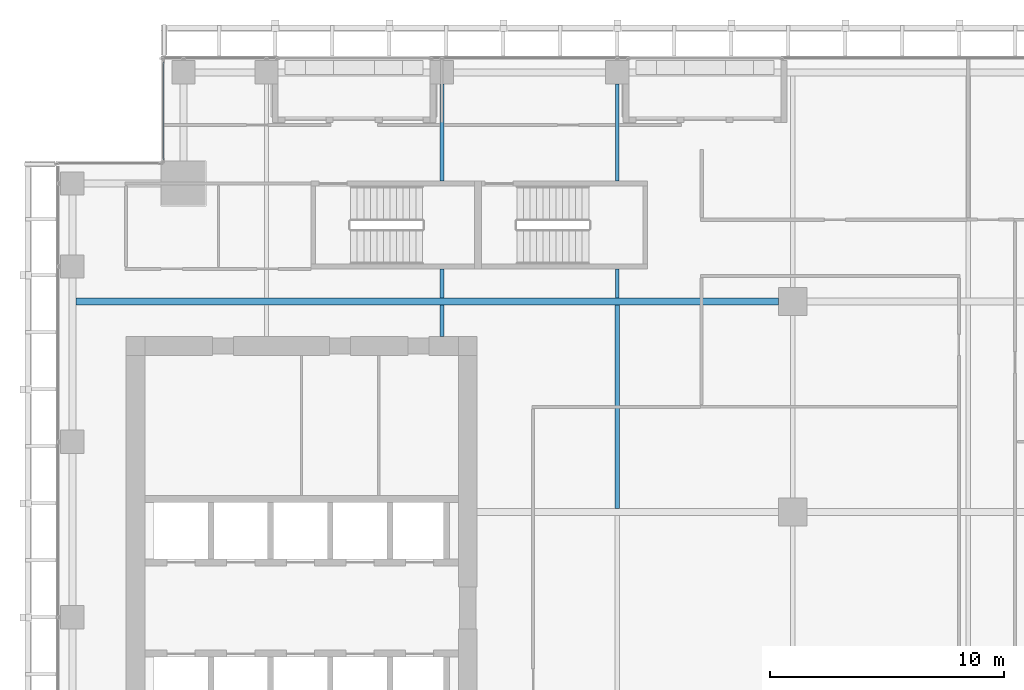
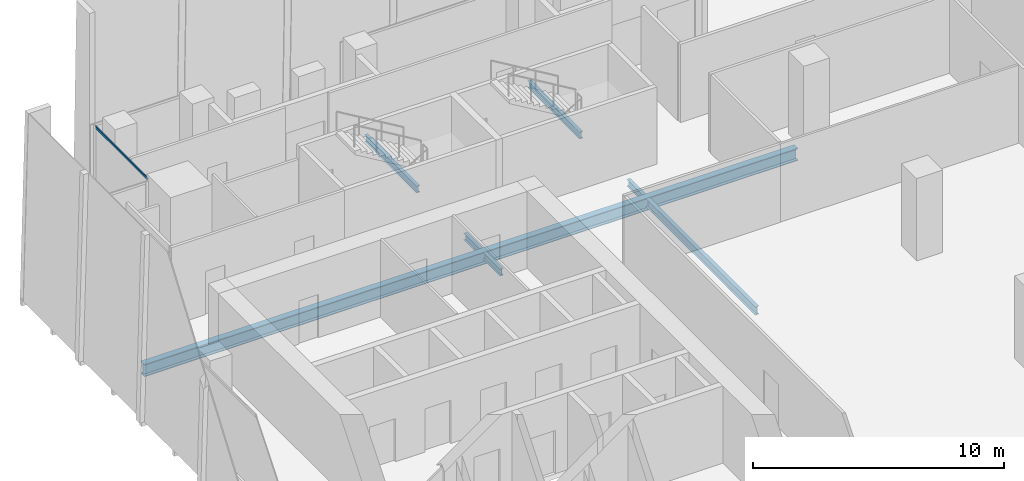
# One storey, part 15 of 35: 7 beams, 1 member, 1 element without a shape of its own.
"""IFC4 building model written with IfcOpenShell, lengths in metres."""

from ifc_helpers import new_model, si_unit, direction, frame, origin, origin_2d, place, context, subcontext, project, spatial, hollow_rectangle, i_section, extrude, source, transform, mapped, material, material_profile, profile_set, type_object, element, aggregate, save


model = new_model("IFC4")

# Units and contexts
model_context = context("Model", 3, precision=1e-05, world=origin(), true_north=direction((0.0, 1.0)))
body_context = subcontext(model_context, "Body", "Model", "MODEL_VIEW")
ifc_project = project(units=[si_unit("LENGTHUNIT", "METRE"), si_unit("AREAUNIT", "SQUARE_METRE"), si_unit("VOLUMEUNIT", "CUBIC_METRE"), si_unit("PLANEANGLEUNIT", "RADIAN"), si_unit("MASSUNIT", "GRAM", prefix="KILO")], contexts=[model_context])

# Site, building, storey
site_placement = place(None, origin())
site = spatial("IfcSite", under=ifc_project, at=site_placement, CompositionType="ELEMENT")
building_placement = place(site_placement, origin())
building = spatial("IfcBuilding", under=site, at=building_placement, Name="Khomas Fold Tower", CompositionType="ELEMENT")
storey_placement = place(building_placement, frame((0.0, 0.0, 212.699951171875)))
storey = spatial("IfcBuildingStorey", under=building, at=storey_placement, Name="L47", CompositionType="ELEMENT", Elevation=212.699951171875)

# Beams
ifc_material_1 = material(Name="Steel S355", Category="steel")
ifc_material_profile_1 = material_profile(ifc_material_1, i_section(OverallWidth=0.179931640625, OverallDepth=0.39990234375, WebThickness=0.008544921875, FlangeThickness=0.013427734375, at=origin_2d()), Name="IPE 400")
ifc_profile_set_1 = profile_set([ifc_material_profile_1], Name="Steel S355")
beam_type_1 = type_object("IfcBeamType", Name="IPE 400 beam JB3", PredefinedType="BEAM", material=ifc_profile_set_1)
shared_shape_1 = source(origin(), body_context, "Body", "SweptSolid", [
    extrude(i_section(OverallWidth=0.179931640625, OverallDepth=0.39990234375, WebThickness=0.008544921875, FlangeThickness=0.013427734375, at=origin_2d()), origin(), (0.0, 0.0, 1.0), 8.7001953125),
])
beam_1_placement = place(storey_placement, frame((27.0, 31.64990234375, -0.449951171875), z_axis=(0.0, 1.0, 0.0), x_axis=(-1.0, 0.0, 0.0)))
element("IfcBeam", 1, at=beam_1_placement, inside=storey, type_object=beam_type_1, Name="JB3", PredefinedType="BEAM", context=body_context, shape_type="MappedRepresentation", body=[
    mapped(shared_shape_1, transform((0.0, 0.0, 0.0))),
])
ifc_material_2 = material(Name="Steel S355", Category="steel")
ifc_material_profile_2 = material_profile(ifc_material_2, i_section(OverallWidth=0.159912109375, OverallDepth=0.330078125, WebThickness=0.007568359375, FlangeThickness=0.011474609375, at=origin_2d()), Name="IPE 330")
ifc_profile_set_2 = profile_set([ifc_material_profile_2], Name="Steel S355")
beam_type_2 = type_object("IfcBeamType", Name="IPE 330 beam JB1", PredefinedType="BEAM", material=ifc_profile_set_2)
shared_shape_2 = source(origin(), body_context, "Body", "SweptSolid", [
    extrude(i_section(OverallWidth=0.159912109375, OverallDepth=0.330078125, WebThickness=0.007568359375, FlangeThickness=0.011474609375, at=origin_2d()), origin(), (0.0, 0.0, 1.0), 1.25),
])
for number, where, z_axis, x_axis, name in (
    (2, (19.5, 40.64990234375, -0.4150390625), (0.0, 1.0, 0.0), (-1.0, 0.0, 0.0), "JB1"),
    (3, (27.0, 40.64990234375, -0.4150390625), (0.0, 1.0, 0.0), (-1.0, 0.0, 0.0), "JB1"),
):
    element("IfcBeam", number, at=place(storey_placement, frame(where, z_axis=z_axis, x_axis=x_axis)), inside=storey, type_object=beam_type_2, Name=name, PredefinedType="BEAM", context=body_context, shape_type="MappedRepresentation", body=[
        mapped(shared_shape_2, transform((0.0, 0.0, 0.0))),
    ])
shared_shape_3 = source(origin(), body_context, "Body", "SweptSolid", [
    extrude(i_section(OverallWidth=0.159912109375, OverallDepth=0.330078125, WebThickness=0.007568359375, FlangeThickness=0.011474609375, at=origin_2d()), origin(), (0.0, 0.0, 1.0), 4.150146484375),
])
for number, where, z_axis, x_axis, name in (
    (4, (19.5, 45.64990234375, -0.4150390625), (0.0, 1.0, 0.0), (-1.0, 0.0, 0.0), "JB1"),
    (5, (27.0, 45.64990234375, -0.4150390625), (0.0, 1.0, 0.0), (-1.0, 0.0, 0.0), "JB1"),
):
    element("IfcBeam", number, at=place(storey_placement, frame(where, z_axis=z_axis, x_axis=x_axis)), inside=storey, type_object=beam_type_2, Name=name, PredefinedType="BEAM", context=body_context, shape_type="MappedRepresentation", body=[
        mapped(shared_shape_3, transform((0.0, 0.0, 0.0))),
    ])
ifc_material_3 = material(Name="Steel S355", Category="steel")
ifc_material_profile_3 = material_profile(ifc_material_3, i_section(OverallWidth=0.300048828125, OverallDepth=0.60009765625, WebThickness=0.015380859375, FlangeThickness=0.030029296875, at=origin_2d()), Name="HE 600 B")
ifc_profile_set_3 = profile_set([ifc_material_profile_3], Name="Steel S355")
beam_type_3 = type_object("IfcBeamType", Name="HE 600 B beam GB5", PredefinedType="BEAM", material=ifc_profile_set_3)
shared_shape_4 = source(origin(), body_context, "Body", "SweptSolid", [
    extrude(i_section(OverallWidth=0.300048828125, OverallDepth=0.60009765625, WebThickness=0.015380859375, FlangeThickness=0.030029296875, at=origin_2d()), origin(), (0.0, 0.0, 1.0), 30.0498046875),
])
beam_2_placement = place(storey_placement, frame((3.85009765625, 40.5, -0.550048828125), z_axis=(1.0, 0.0, 0.0), x_axis=(0.0, 1.0, 0.0)))
element("IfcBeam", 6, at=beam_2_placement, inside=storey, type_object=beam_type_3, Name="GB5", PredefinedType="BEAM", context=body_context, shape_type="MappedRepresentation", body=[
    mapped(shared_shape_4, transform((0.0, 0.0, 0.0))),
])
shared_shape_5 = source(origin(), body_context, "Body", "SweptSolid", [
    extrude(i_section(OverallWidth=0.159912109375, OverallDepth=0.330078125, WebThickness=0.007568359375, FlangeThickness=0.011474609375, at=origin_2d()), origin(), (0.0, 0.0, 1.0), 1.35009765625),
])
beam_3_placement = place(storey_placement, frame((19.5, 39.0, -0.4150390625), z_axis=(0.0, 1.0, 0.0), x_axis=(-1.0, 0.0, 0.0)))
element("IfcBeam", 7, at=beam_3_placement, inside=storey, type_object=beam_type_2, Name="JB1", PredefinedType="BEAM", context=body_context, shape_type="MappedRepresentation", body=[
    mapped(shared_shape_5, transform((0.0, 0.0, 0.0))),
])

# Curtain wall, member
ifc_material_4 = material(Name="Aluminium framed double glazing", Category="aluminium")
curtain_wall_type = type_object("IfcCurtainWallType", Name="SK-Unitised clear-glass wall, office floors CW2", PredefinedType="NOTDEFINED", material=ifc_material_4)
curtain_wall_placement = place(storey_placement, origin())
curtain_wall = element("IfcCurtainWall", 8, at=curtain_wall_placement, inside=storey, type_object=curtain_wall_type, Name="CW2 corner return L47 07", PredefinedType="NOTDEFINED")
ifc_material_5 = material(Name="Aluminium", Category="aluminium")
ifc_material_profile_4 = material_profile(ifc_material_5, hollow_rectangle(XDim=0.050048828125, YDim=0.110107421875, WallThickness=0.00390625, at=origin_2d()), Name="SK-Unitised clear-glass wall, office floors transom CW2-T")
ifc_profile_set_4 = profile_set([ifc_material_profile_4], Name="Aluminium")
member_type = type_object("IfcMemberType", Name="SK-Unitised clear-glass wall, office floors transom CW2-T", PredefinedType="USERDEFINED", material=ifc_profile_set_4)
shared_shape_6 = source(origin(), body_context, "Body", "SweptSolid", [
    extrude(hollow_rectangle(XDim=0.050048828125, YDim=0.110107421875, WallThickness=0.00390625, at=origin_2d()), origin(), (0.0, 0.0, 1.0), 4.179931640625),
])
member_placement = place(storey_placement, frame((7.60009765625, 50.739990234375, 3.695068359375), z_axis=(0.0, -1.0, 0.0), x_axis=(1.0, 0.0, 0.0)))
member = element("IfcMember", 9, at=member_placement, type_object=member_type, Name="CW2 transom 1", ObjectType="TRANSOM", PredefinedType="USERDEFINED", context=body_context, shape_type="MappedRepresentation", body=[
    mapped(shared_shape_6, transform((0.0, 0.0, 0.0))),
])
aggregate(curtain_wall, [member])

save(model, "model.ifc")
